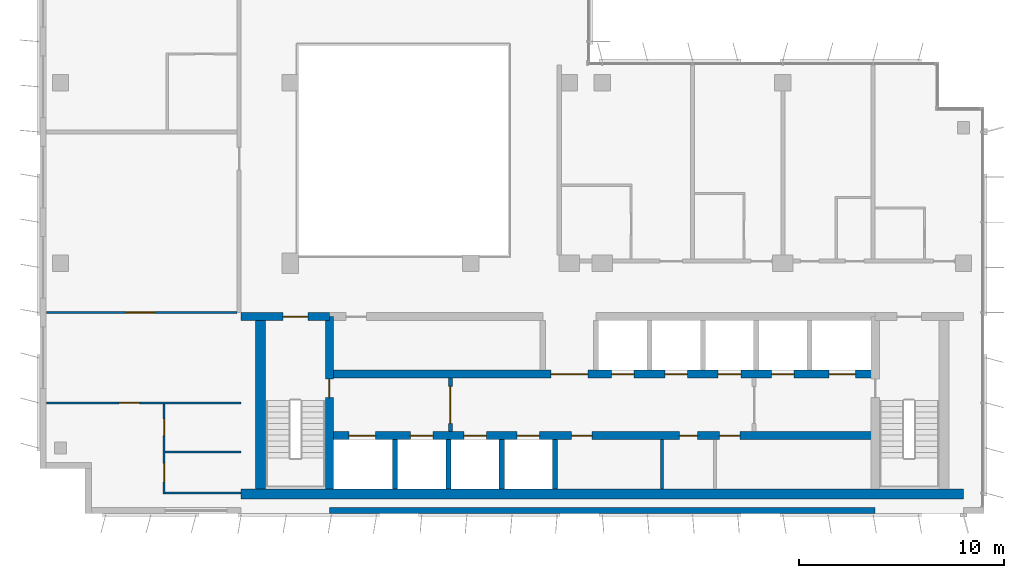
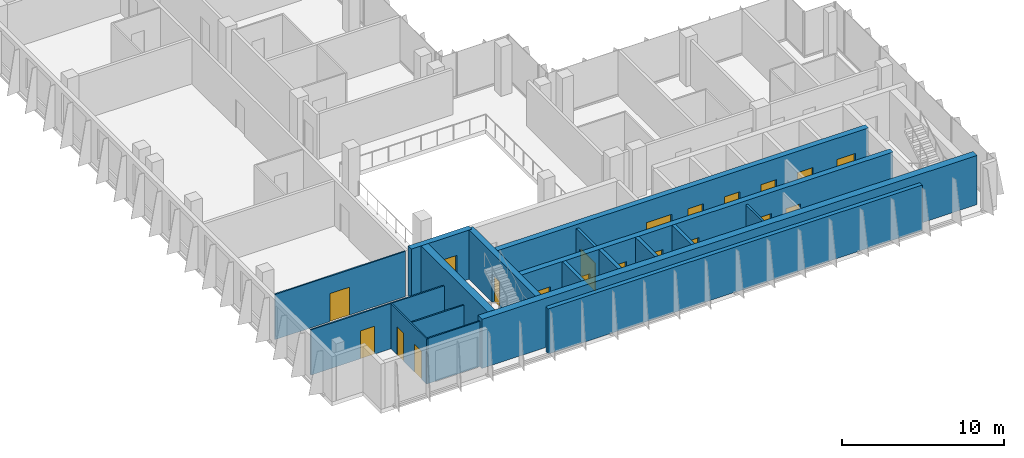
# One storey, part 9 of 15: 20 doors, 18 walls, 20 openings.
"""IFC4 building model written with IfcOpenShell, lengths in metres."""

import ifcopenshell
import ifcopenshell.guid

model = None  # the IFC model being written
_history = None  # IfcOwnerHistory: only IFC2X3 demands one
_inside = {}  # id of a spatial element -> (the spatial element, [elements in it])
_under = {}  # id of a project, library or spatial element -> (it, [spatial elements below it])
_declared = {}  # id of a project -> (the project, [libraries it declares])
_typed = {}  # id of a type object -> (the type object, [elements of that type])
_made_of = {}  # id of a material, layer set ... -> (it, [elements and type objects made of it])


def new_model(schema):
    """Start an empty IFC model of exactly this schema.

    Asked for "IFC4X3", IfcOpenShell would pick the latest addendum, in which some entities
    have other attributes; the version numbers below select the first issue.
    IFC2X3 requires an IfcOwnerHistory on every rooted entity: one is made here for all.
    """
    global model, _history
    if schema == "IFC4X3":
        model = ifcopenshell.file(schema_version=(4, 3, 0, 0))
    else:
        model = ifcopenshell.file(schema=schema)
    _inside.clear()
    _under.clear()
    _declared.clear()
    _typed.clear()
    _made_of.clear()
    _history = None
    if model.schema == "IFC2X3":
        org = make("IfcOrganization", Name="unknown")
        user = make(
            "IfcPersonAndOrganization",
            ThePerson=make("IfcPerson", FamilyName="unknown"),
            TheOrganization=org,
        )
        app = make(
            "IfcApplication",
            ApplicationDeveloper=org,
            Version="unknown",
            ApplicationFullName="unknown",
            ApplicationIdentifier="unknown",
        )
        _history = make(
            "IfcOwnerHistory",
            OwningUser=user,
            OwningApplication=app,
            ChangeAction="ADDED",
            CreationDate=0,
        )
    return model


def make(cls, **values):
    """One entity of the class cls with the attributes given. An attribute that is None is left unset."""
    return model.create_entity(
        cls, **{name: value for name, value in values.items() if value is not None}
    )


def rooted(cls, **values):
    """An entity with a GlobalId (a new one), such as an element, a storey or a relation."""
    return make(cls, GlobalId=ifcopenshell.guid.new(), OwnerHistory=_history, **values)


def si_unit(unit_type, name, prefix=None):
    """IfcSIUnit, for example si_unit("LENGTHUNIT", "METRE", prefix="MILLI")."""
    return make("IfcSIUnit", UnitType=unit_type, Prefix=prefix, Name=name)


def assignment(units):
    """IfcUnitAssignment: the units of a project."""
    return None if units is None else make("IfcUnitAssignment", Units=units)


def point(xyz):
    """IfcCartesianPoint."""
    return None if xyz is None else make("IfcCartesianPoint", Coordinates=xyz)


def direction(xyz):
    """IfcDirection."""
    return None if xyz is None else make("IfcDirection", DirectionRatios=xyz)


def frame(location, z_axis=None, x_axis=None):
    """IfcAxis2Placement3D, a coordinate frame: its origin and axes. An axis left out is left unset."""
    return make(
        "IfcAxis2Placement3D",
        Location=point(location),
        Axis=direction(z_axis),
        RefDirection=direction(x_axis),
    )


def frame_2d(location, x_axis=None):
    """IfcAxis2Placement2D, a coordinate frame in the plane: its origin and x axis."""
    return make(
        "IfcAxis2Placement2D", Location=point(location), RefDirection=direction(x_axis)
    )


def origin():
    """The frame at (0, 0, 0) with its axes left unset."""
    return frame((0.0, 0.0, 0.0))


def place(relative_to, where):
    """IfcLocalPlacement: puts the frame where relative to a parent placement (None: the world)."""
    return make(
        "IfcLocalPlacement", PlacementRelTo=relative_to, RelativePlacement=where
    )


def context(
    kind, dimensions, precision=None, world=None, true_north=None, identifier=None
):
    """IfcGeometricRepresentationContext, for example the 3D "Model" context."""
    return make(
        "IfcGeometricRepresentationContext",
        ContextIdentifier=identifier,
        ContextType=kind,
        CoordinateSpaceDimension=dimensions,
        Precision=precision,
        WorldCoordinateSystem=world,
        TrueNorth=true_north,
    )


def subcontext(parent, identifier, kind, view, scale=None):
    """IfcGeometricRepresentationSubContext, for example "Body" below "Model"."""
    return make(
        "IfcGeometricRepresentationSubContext",
        ContextIdentifier=identifier,
        ContextType=kind,
        ParentContext=parent,
        TargetScale=scale,
        TargetView=view,
    )


def project(units=None, contexts=None):
    """IfcProject with its units and contexts."""
    return rooted(
        "IfcProject",
        Name="project",
        RepresentationContexts=contexts,
        UnitsInContext=assignment(units),
    )


def spatial(cls, under=None, at=None, **own):
    """A site, building, storey or space (cls), placed at a placement, below another one or the project."""
    s = rooted(cls, ObjectPlacement=at, **own)
    if under is not None:
        _under.setdefault(under.id(), (under, []))[1].append(s)
    return s


def profile(cls, at=None, kind="AREA", **sizes):
    """A parametric profile (cls). Its sizes go by their IFC names, for example OverallWidth=200.0."""
    return make(cls, ProfileType=kind, Position=at, **sizes)


def rectangle(**sizes):
    """IfcRectangleProfileDef."""
    return profile("IfcRectangleProfileDef", **sizes)


def extrude(swept, where, along, depth):
    """IfcExtrudedAreaSolid: the profile swept, set in the frame where, extruded along a direction by depth."""
    return make(
        "IfcExtrudedAreaSolid",
        SweptArea=swept,
        Position=where,
        ExtrudedDirection=direction(along),
        Depth=depth,
    )


def shape(context_of_items, identifier, shape_type, items):
    """IfcShapeRepresentation: the items that make up one representation, for example the "Body"."""
    return make(
        "IfcShapeRepresentation",
        ContextOfItems=context_of_items,
        RepresentationIdentifier=identifier,
        RepresentationType=shape_type,
        Items=items,
    )


def material(Name=None, Category=None):
    """IfcMaterial."""
    return make("IfcMaterial", Name=Name, Category=Category)


def layer(
    of_material, thickness, ventilated=None, Name=None, Category=None, Priority=None
):
    """IfcMaterialLayer: one layer of a wall or slab, of a material (None: an air gap)."""
    return make(
        "IfcMaterialLayer",
        Material=of_material,
        LayerThickness=thickness,
        IsVentilated=ventilated,
        Name=Name,
        Category=Category,
        Priority=Priority,
    )


def layer_set(layers, Name=None):
    """IfcMaterialLayerSet."""
    return make("IfcMaterialLayerSet", MaterialLayers=layers, LayerSetName=Name)


def made_of(thing, what):
    """Note that an element or type object is made of a material, layer set ...; save() writes the relation."""
    if what is not None:
        _made_of.setdefault(what.id(), (what, []))[1].append(thing)
    return thing


def type_object(cls, material=None, **own):
    """A type object (cls), such as IfcWallType, which elements share."""
    return made_of(rooted(cls, **own), material)


def element(
    cls,
    number,
    at=None,
    inside=None,
    cuts=None,
    type_object=None,
    material=None,
    context=None,
    identifier="Body",
    shape_type=None,
    held_by="IfcProductDefinitionShape",
    body=None,
    shapes=None,
    **own,
):
    """One element of the class cls, such as IfcWall. Its Tag is "e" and its number.

    at: its placement. inside: the storey or other place that contains it. cuts: it is an
    opening in that element (IfcRelVoidsElement). A single representation is given by context,
    identifier, shape_type and body (its items); several are given by shapes. held_by: the class
    of the entity that holds the representations. save() writes the other relations.
    """
    e = rooted(cls, Tag="e%d" % number, ObjectPlacement=at, **own)
    if body is not None:
        shapes = [shape(context, identifier, shape_type, body)]
    if shapes is not None:
        e.Representation = make(held_by, Representations=shapes)
    if inside is not None:
        _inside.setdefault(inside.id(), (inside, []))[1].append(e)
    if cuts is not None:
        rooted(
            "IfcRelVoidsElement", RelatingBuildingElement=cuts, RelatedOpeningElement=e
        )
    if type_object is not None:
        _typed.setdefault(type_object.id(), (type_object, []))[1].append(e)
    return made_of(e, material)


def fill(opening, filler):
    """IfcRelFillsElement: the door or window that sits in an opening."""
    return rooted(
        "IfcRelFillsElement",
        RelatingOpeningElement=opening,
        RelatedBuildingElement=filler,
    )


def aggregate(whole, parts):
    """IfcRelAggregates: a whole, such as a stair, and the parts it consists of."""
    return rooted("IfcRelAggregates", RelatingObject=whole, RelatedObjects=parts)


def save(model, path):
    """Write the relations noted so far, then the file.

    IfcRelAggregates (storeys below a building ...), IfcRelContainedInSpatialStructure (elements
    in a storey), IfcRelDefinesByType, IfcRelAssociatesMaterial and IfcRelDeclares: one each for
    every whole, place, type object, material and project.
    """
    for whole, parts in _under.values():
        aggregate(whole, parts)
    for where, things in _inside.values():
        rooted(
            "IfcRelContainedInSpatialStructure",
            RelatedElements=things,
            RelatingStructure=where,
        )
    for kind, things in _typed.values():
        rooted("IfcRelDefinesByType", RelatedObjects=things, RelatingType=kind)
    for what, things in _made_of.values():
        rooted("IfcRelAssociatesMaterial", RelatedObjects=things, RelatingMaterial=what)
    for by, libraries in _declared.values():
        rooted("IfcRelDeclares", RelatingContext=by, RelatedDefinitions=libraries)
    model.write(path)


model = new_model("IFC4")

# Units and contexts
model_context = context("Model", 3, precision=1e-05, world=origin(), true_north=direction((0.0, 1.0)))
body_context = subcontext(model_context, "Body", "Model", "MODEL_VIEW")
ifc_project = project(units=[si_unit("LENGTHUNIT", "METRE"), si_unit("AREAUNIT", "SQUARE_METRE"), si_unit("VOLUMEUNIT", "CUBIC_METRE"), si_unit("PLANEANGLEUNIT", "RADIAN"), si_unit("MASSUNIT", "GRAM", prefix="KILO")], contexts=[model_context])

# Site, building, storey
site_placement = place(None, origin())
site = spatial("IfcSite", under=ifc_project, at=site_placement, CompositionType="ELEMENT")
building_placement = place(site_placement, origin())
building = spatial("IfcBuilding", under=site, at=building_placement, Name="Kemantara Hotel Tower", CompositionType="ELEMENT")
storey_placement = place(building_placement, frame((0.0, 0.0, 294.39990234375)))
storey = spatial("IfcBuildingStorey", under=building, at=storey_placement, Name="L74", CompositionType="ELEMENT", Elevation=294.39990234375)

# Walls
ifc_material_1 = material(Name="Bronze anodised aluminium cladding on insulated steel stud wall", Category="steel")
ifc_layer_1 = layer(ifc_material_1, 0.300048828125)
ifc_layer_set_1 = layer_set([ifc_layer_1], Name="Bronze anodised aluminium cladding on insulated steel stud wall")
wall_type_1 = type_object("IfcWallType", Name="BRONZE METAL-CLAD EXTERNAL WALL 300", PredefinedType="STANDARD", material=ifc_layer_set_1)
wall_1_placement = place(storey_placement, frame((14.10009765625, 0.14990234375, 0.0), z_axis=(0.0, 0.0, 1.0), x_axis=(1.0, 0.0, 0.0)))
element("IfcWall", 1, at=wall_1_placement, inside=storey, type_object=wall_type_1, Name="EXTERNAL WALL L74 T4-R08-2", PredefinedType="STANDARD", context=body_context, shape_type="SweptSolid", body=[
    extrude(rectangle(XDim=26.599853515625, YDim=0.300048828125, at=frame_2d((13.2998046875, 0.0))), origin(), (0.0, 0.0, 1.0), 3.400146484375),
])
ifc_material_2 = material(Name="Concrete fc 50 MPa", Category="concrete")
ifc_layer_2 = layer(ifc_material_2, 0.25)
ifc_layer_set_2 = layer_set([ifc_layer_2], Name="Concrete fc 50 MPa")
wall_type_2 = type_object("IfcWallType", Name="CORE WALL 250 FC50", PredefinedType="SHEAR", material=ifc_layer_set_2)
for number, where, z_axis, x_axis, name in (
    (2, (17.300048828125, 1.199951171875, 0.0), (0.0, 0.0, 1.0), (0.0, 1.0, 0.0), "CORE WALL CW-DS17.3"),
    (3, (19.89990234375, 1.199951171875, 0.0), (0.0, 0.0, 1.0), (0.0, 1.0, 0.0), "CORE WALL CW-DS19.9"),
    (4, (22.5, 1.199951171875, 0.0), (0.0, 0.0, 1.0), (0.0, 1.0, 0.0), "CORE WALL CW-DS22.5"),
    (5, (25.10009765625, 1.199951171875, 0.0), (0.0, 0.0, 1.0), (0.0, 1.0, 0.0), "CORE WALL CW-DS25.1"),
):
    element("IfcWall", number, at=place(storey_placement, frame(where, z_axis=z_axis, x_axis=x_axis)), inside=storey, type_object=wall_type_2, Name=name, PredefinedType="SHEAR", context=body_context, shape_type="SweptSolid", body=[
        extrude(rectangle(XDim=2.400146484375, YDim=0.25, at=frame_2d((1.2001953125, 0.0))), origin(), (0.0, 0.0, 1.0), 3.7001953125),
    ])

# Wall, opening, door
ifc_layer_3 = layer(ifc_material_2, 0.39990234375)
ifc_layer_set_3 = layer_set([ifc_layer_3], Name="Concrete fc 50 MPa")
wall_type_3 = type_object("IfcWallType", Name="CORE WALL 400 FC50", PredefinedType="SHEAR", material=ifc_layer_set_3)
wall_2_placement = place(storey_placement, frame((9.800048828125, 9.60009765625, 0.0), z_axis=(0.0, 0.0, 1.0), x_axis=(1.0, 0.0, 0.0)))
wall_2 = element("IfcWall", 6, at=wall_2_placement, inside=storey, type_object=wall_type_3, Name="CORE WALL CW-N1", PredefinedType="SHEAR", context=body_context, shape_type="SweptSolid", body=[
    extrude(rectangle(XDim=4.300048828125, YDim=0.39990234375, at=frame_2d((2.14990234375, 0.0))), origin(), (0.0, 0.0, 1.0), 3.7001953125),
])
opening_1_placement = place(wall_2_placement, frame((2.050048828125, 0.0, 0.0)))
opening_1 = element("IfcOpeningElement", 7, at=opening_1_placement, cuts=wall_2, Name="Opening C42-ST1-C", PredefinedType="OPENING", context=body_context, shape_type="SweptSolid", body=[
    extrude(rectangle(XDim=1.199951171875, YDim=2.10009765625, at=frame_2d((0.60009765625, 1.050048828125))), frame((0.0, 0.2099609375, 0.0), z_axis=(0.0, -1.0, 0.0), x_axis=(1.0, 0.0, 0.0)), (0.0, 0.0, 1.0), 0.419921875),
])
ifc_material_3 = material(Name="Steel fire door", Category="steel")
door_type_1 = type_object("IfcDoorType", Name="Fire door FD90 1200 x 2100", OperationType="NOTDEFINED", PredefinedType="DOOR", material=ifc_material_3)
door_1_placement = place(opening_1_placement, frame((1.199951171875, 0.0, 0.0), z_axis=(0.0, 0.0, 1.0), x_axis=(-1.0, 0.0, 0.0)))
door_1 = element("IfcDoor", 8, at=door_1_placement, inside=storey, type_object=door_type_1, Name="Stair ST1 door to corridor", OperationType="SINGLE_SWING_LEFT", OverallHeight=2.10009765625, OverallWidth=1.199951171875, PredefinedType="DOOR", context=body_context, shape_type="SweptSolid", body=[
    extrude(rectangle(XDim=1.199951171875, YDim=2.10009765625, at=frame_2d((0.60009765625, 1.050048828125))), frame((0.0, 0.02490234375, 0.0), z_axis=(0.0, -1.0, 0.0), x_axis=(1.0, 0.0, 0.0)), (0.0, 0.0, 1.0), 0.050048828125),
])
fill(opening_1, door_1)

# Wall, openings, doors
wall_3_placement = place(storey_placement, frame((14.10009765625, 3.800048828125, 0.0), z_axis=(0.0, 0.0, 1.0), x_axis=(1.0, 0.0, 0.0)))
wall_3 = element("IfcWall", 9, at=wall_3_placement, inside=storey, type_object=wall_type_3, Name="CORE WALL CW-L1", PredefinedType="SHEAR", context=body_context, shape_type="SweptSolid", body=[
    extrude(rectangle(XDim=26.599853515625, YDim=0.39990234375, at=frame_2d((13.2998046875, 0.0))), origin(), (0.0, 0.0, 1.0), 3.7001953125),
])
opening_2_placement = place(wall_3_placement, frame((0.949951171875, 0.0, 0.0)))
opening_2 = element("IfcOpeningElement", 10, at=opening_2_placement, cuts=wall_3, Name="Opening C42-LD-FF1", PredefinedType="OPENING", context=body_context, shape_type="SweptSolid", body=[
    extrude(rectangle(XDim=1.300048828125, YDim=2.10009765625, at=frame_2d((0.64990234375, 1.050048828125))), frame((0.0, 0.2099609375, 0.0), z_axis=(0.0, -1.0, 0.0), x_axis=(1.0, 0.0, 0.0)), (0.0, 0.0, 1.0), 0.419921875),
])
opening_3_placement = place(wall_3_placement, frame((3.949951171875, 0.0, 0.0)))
opening_3 = element("IfcOpeningElement", 11, at=opening_3_placement, cuts=wall_3, Name="Opening C42-LD-SV1", PredefinedType="OPENING", context=body_context, shape_type="SweptSolid", body=[
    extrude(rectangle(XDim=1.10009765625, YDim=2.10009765625, at=frame_2d((0.550048828125, 1.050048828125))), frame((0.0, 0.2099609375, 0.0), z_axis=(0.0, -1.0, 0.0), x_axis=(1.0, 0.0, 0.0)), (0.0, 0.0, 1.0), 0.419921875),
])
opening_4_placement = place(wall_3_placement, frame((6.550048828125, 0.0, 0.0)))
opening_4 = element("IfcOpeningElement", 12, at=opening_4_placement, cuts=wall_3, Name="Opening C42-LD-SV2", PredefinedType="OPENING", context=body_context, shape_type="SweptSolid", body=[
    extrude(rectangle(XDim=1.10009765625, YDim=2.10009765625, at=frame_2d((0.550048828125, 1.050048828125))), frame((0.0, 0.2099609375, 0.0), z_axis=(0.0, -1.0, 0.0), x_axis=(1.0, 0.0, 0.0)), (0.0, 0.0, 1.0), 0.419921875),
])
opening_5_placement = place(wall_3_placement, frame((9.14990234375, 0.0, 0.0)))
opening_5 = element("IfcOpeningElement", 13, at=opening_5_placement, cuts=wall_3, Name="Opening C42-LD-SV3", PredefinedType="OPENING", context=body_context, shape_type="SweptSolid", body=[
    extrude(rectangle(XDim=1.10009765625, YDim=2.10009765625, at=frame_2d((0.550048828125, 1.050048828125))), frame((0.0, 0.2099609375, 0.0), z_axis=(0.0, -1.0, 0.0), x_axis=(1.0, 0.0, 0.0)), (0.0, 0.0, 1.0), 0.419921875),
])
opening_6_placement = place(wall_3_placement, frame((11.800048828125, 0.0, 0.0)))
opening_6 = element("IfcOpeningElement", 14, at=opening_6_placement, cuts=wall_3, Name="Opening C42-R-SM1", PredefinedType="OPENING", context=body_context, shape_type="SweptSolid", body=[
    extrude(rectangle(XDim=1.0, YDim=2.10009765625, at=frame_2d((0.5, 1.050048828125))), frame((0.0, 0.2099609375, 0.0), z_axis=(0.0, -1.0, 0.0), x_axis=(1.0, 0.0, 0.0)), (0.0, 0.0, 1.0), 0.419921875),
])
opening_7_placement = place(wall_3_placement, frame((17.050048828125, 0.0, 0.0)))
opening_7 = element("IfcOpeningElement", 15, at=opening_7_placement, cuts=wall_3, Name="Opening C42-R-SM2", PredefinedType="OPENING", context=body_context, shape_type="SweptSolid", body=[
    extrude(rectangle(XDim=0.89990234375, YDim=2.10009765625, at=frame_2d((0.449951171875, 1.050048828125))), frame((0.0, 0.2099609375, 0.0), z_axis=(0.0, -1.0, 0.0), x_axis=(1.0, 0.0, 0.0)), (0.0, 0.0, 1.0), 0.419921875),
])
opening_8_placement = place(wall_3_placement, frame((19.0, 0.0, 0.0)))
opening_8 = element("IfcOpeningElement", 16, at=opening_8_placement, cuts=wall_3, Name="Opening C42-R-SM3", PredefinedType="OPENING", context=body_context, shape_type="SweptSolid", body=[
    extrude(rectangle(XDim=1.0, YDim=2.10009765625, at=frame_2d((0.5, 1.050048828125))), frame((0.0, 0.2099609375, 0.0), z_axis=(0.0, -1.0, 0.0), x_axis=(1.0, 0.0, 0.0)), (0.0, 0.0, 1.0), 0.419921875),
])
door_type_2 = type_object("IfcDoorType", Name="Fire door FD30S 1000 x 2100", OperationType="NOTDEFINED", PredefinedType="DOOR", material=ifc_material_3)
door_2_placement = place(opening_8_placement, frame((1.0, 0.0, 0.0), z_axis=(0.0, 0.0, 1.0), x_axis=(-1.0, 0.0, 0.0)))
door_2 = element("IfcDoor", 17, at=door_2_placement, inside=storey, type_object=door_type_2, Name="Housekeeping Store door", OperationType="SINGLE_SWING_LEFT", OverallHeight=2.10009765625, OverallWidth=1.0, PredefinedType="DOOR", context=body_context, shape_type="SweptSolid", body=[
    extrude(rectangle(XDim=1.0, YDim=2.10009765625, at=frame_2d((0.5, 1.050048828125))), frame((0.0, 0.02490234375, 0.0), z_axis=(0.0, -1.0, 0.0), x_axis=(1.0, 0.0, 0.0)), (0.0, 0.0, 1.0), 0.050048828125),
])
fill(opening_8, door_2)
door_type_3 = type_object("IfcDoorType", Name="Fire door FD60 1000 x 2100", OperationType="NOTDEFINED", PredefinedType="DOOR", material=ifc_material_3)
door_3_placement = place(opening_6_placement, frame((1.0, 0.0, 0.0), z_axis=(0.0, 0.0, 1.0), x_axis=(-1.0, 0.0, 0.0)))
door_3 = element("IfcDoor", 18, at=door_3_placement, inside=storey, type_object=door_type_3, Name="It Equipment Room door", OperationType="SINGLE_SWING_RIGHT", OverallHeight=2.10009765625, OverallWidth=1.0, PredefinedType="DOOR", context=body_context, shape_type="SweptSolid", body=[
    extrude(rectangle(XDim=1.0, YDim=2.10009765625, at=frame_2d((0.5, 1.050048828125))), frame((0.0, 0.02490234375, 0.0), z_axis=(0.0, -1.0, 0.0), x_axis=(1.0, 0.0, 0.0)), (0.0, 0.0, 1.0), 0.050048828125),
])
fill(opening_6, door_3)
door_type_4 = type_object("IfcDoorType", Name="Fire door FD60 900 x 2100", OperationType="NOTDEFINED", PredefinedType="DOOR", material=ifc_material_3)
door_4_placement = place(opening_7_placement, frame((0.89990234375, 0.0, 0.0), z_axis=(0.0, 0.0, 1.0), x_axis=(-1.0, 0.0, 0.0)))
door_4 = element("IfcDoor", 19, at=door_4_placement, inside=storey, type_object=door_type_4, Name="Comms Equipment Room door", OperationType="SINGLE_SWING_LEFT", OverallHeight=2.10009765625, OverallWidth=0.89990234375, PredefinedType="DOOR", context=body_context, shape_type="SweptSolid", body=[
    extrude(rectangle(XDim=0.89990234375, YDim=2.10009765625, at=frame_2d((0.449951171875, 1.050048828125))), frame((0.0, 0.02490234375, 0.0), z_axis=(0.0, -1.0, 0.0), x_axis=(1.0, 0.0, 0.0)), (0.0, 0.0, 1.0), 0.050048828125),
])
fill(opening_7, door_4)
ifc_material_4 = material(Name="Stainless steel lift door", Category="steel")
door_type_5 = type_object("IfcDoorType", Name="Lift landing door 1100 x 2100 FD60", OperationType="DOUBLE_DOOR_SLIDING", PredefinedType="DOOR", material=ifc_material_4)
door_5_placement = place(opening_3_placement, origin())
door_5 = element("IfcDoor", 20, at=door_5_placement, inside=storey, type_object=door_type_5, Name="Lift SV1 landing door", OperationType="DOUBLE_DOOR_SLIDING", OverallHeight=2.10009765625, OverallWidth=1.10009765625, PredefinedType="DOOR", context=body_context, shape_type="SweptSolid", body=[
    extrude(rectangle(XDim=1.10009765625, YDim=2.10009765625, at=frame_2d((0.550048828125, 1.050048828125))), frame((0.0, 0.02490234375, 0.0), z_axis=(0.0, -1.0, 0.0), x_axis=(1.0, 0.0, 0.0)), (0.0, 0.0, 1.0), 0.050048828125),
])
fill(opening_3, door_5)
door_6_placement = place(opening_4_placement, origin())
door_6 = element("IfcDoor", 21, at=door_6_placement, inside=storey, type_object=door_type_5, Name="Lift SV2 landing door", OperationType="DOUBLE_DOOR_SLIDING", OverallHeight=2.10009765625, OverallWidth=1.10009765625, PredefinedType="DOOR", context=body_context, shape_type="SweptSolid", body=[
    extrude(rectangle(XDim=1.10009765625, YDim=2.10009765625, at=frame_2d((0.550048828125, 1.050048828125))), frame((0.0, 0.02490234375, 0.0), z_axis=(0.0, -1.0, 0.0), x_axis=(1.0, 0.0, 0.0)), (0.0, 0.0, 1.0), 0.050048828125),
])
fill(opening_4, door_6)
door_7_placement = place(opening_5_placement, origin())
door_7 = element("IfcDoor", 22, at=door_7_placement, inside=storey, type_object=door_type_5, Name="Lift SV3 landing door", OperationType="DOUBLE_DOOR_SLIDING", OverallHeight=2.10009765625, OverallWidth=1.10009765625, PredefinedType="DOOR", context=body_context, shape_type="SweptSolid", body=[
    extrude(rectangle(XDim=1.10009765625, YDim=2.10009765625, at=frame_2d((0.550048828125, 1.050048828125))), frame((0.0, 0.02490234375, 0.0), z_axis=(0.0, -1.0, 0.0), x_axis=(1.0, 0.0, 0.0)), (0.0, 0.0, 1.0), 0.050048828125),
])
fill(opening_5, door_7)
door_type_6 = type_object("IfcDoorType", Name="Lift landing door 1300 x 2100 FD90", OperationType="DOUBLE_DOOR_SLIDING", PredefinedType="DOOR", material=ifc_material_4)
door_8_placement = place(opening_2_placement, origin())
door_8 = element("IfcDoor", 23, at=door_8_placement, inside=storey, type_object=door_type_6, Name="Lift FF1 landing door", OperationType="DOUBLE_DOOR_SLIDING", OverallHeight=2.10009765625, OverallWidth=1.300048828125, PredefinedType="DOOR", context=body_context, shape_type="SweptSolid", body=[
    extrude(rectangle(XDim=1.300048828125, YDim=2.10009765625, at=frame_2d((0.64990234375, 1.050048828125))), frame((0.0, 0.02490234375, 0.0), z_axis=(0.0, -1.0, 0.0), x_axis=(1.0, 0.0, 0.0)), (0.0, 0.0, 1.0), 0.050048828125),
])
fill(opening_2, door_8)

wall_4_placement = place(storey_placement, frame((14.10009765625, 6.800048828125, 0.0), z_axis=(0.0, 0.0, 1.0), x_axis=(1.0, 0.0, 0.0)))
wall_4 = element("IfcWall", 24, at=wall_4_placement, inside=storey, type_object=wall_type_3, Name="CORE WALL CW-L2", PredefinedType="SHEAR", context=body_context, shape_type="SweptSolid", body=[
    extrude(rectangle(XDim=26.599853515625, YDim=0.39990234375, at=frame_2d((13.2998046875, 0.0))), origin(), (0.0, 0.0, 1.0), 3.7001953125),
])
opening_9_placement = place(wall_4_placement, frame((10.800048828125, 0.0, 0.0)))
opening_9 = element("IfcOpeningElement", 25, at=opening_9_placement, cuts=wall_4, Name="Opening C42-VL", PredefinedType="OPENING", context=body_context, shape_type="SweptSolid", body=[
    extrude(rectangle(XDim=1.800048828125, YDim=2.10009765625, at=frame_2d((0.89990234375, 1.050048828125))), frame((0.0, 0.2099609375, 0.0), z_axis=(0.0, -1.0, 0.0), x_axis=(1.0, 0.0, 0.0)), (0.0, 0.0, 1.0), 0.419921875),
])
opening_10_placement = place(wall_4_placement, frame((13.75, 0.0, 0.0)))
opening_10 = element("IfcOpeningElement", 26, at=opening_10_placement, cuts=wall_4, Name="Opening C42-LD-HR1", PredefinedType="OPENING", context=body_context, shape_type="SweptSolid", body=[
    extrude(rectangle(XDim=1.10009765625, YDim=2.10009765625, at=frame_2d((0.550048828125, 1.050048828125))), frame((0.0, 0.2099609375, 0.0), z_axis=(0.0, -1.0, 0.0), x_axis=(1.0, 0.0, 0.0)), (0.0, 0.0, 1.0), 0.419921875),
])
opening_11_placement = place(wall_4_placement, frame((16.35009765625, 0.0, 0.0)))
opening_11 = element("IfcOpeningElement", 27, at=opening_11_placement, cuts=wall_4, Name="Opening C42-LD-HR2", PredefinedType="OPENING", context=body_context, shape_type="SweptSolid", body=[
    extrude(rectangle(XDim=1.10009765625, YDim=2.10009765625, at=frame_2d((0.550048828125, 1.050048828125))), frame((0.0, 0.2099609375, 0.0), z_axis=(0.0, -1.0, 0.0), x_axis=(1.0, 0.0, 0.0)), (0.0, 0.0, 1.0), 0.419921875),
])
opening_12_placement = place(wall_4_placement, frame((18.949951171875, 0.0, 0.0)))
opening_12 = element("IfcOpeningElement", 28, at=opening_12_placement, cuts=wall_4, Name="Opening C42-LD-HR3", PredefinedType="OPENING", context=body_context, shape_type="SweptSolid", body=[
    extrude(rectangle(XDim=1.10009765625, YDim=2.10009765625, at=frame_2d((0.550048828125, 1.050048828125))), frame((0.0, 0.2099609375, 0.0), z_axis=(0.0, -1.0, 0.0), x_axis=(1.0, 0.0, 0.0)), (0.0, 0.0, 1.0), 0.419921875),
])
opening_13_placement = place(wall_4_placement, frame((21.550048828125, 0.0, 0.0)))
opening_13 = element("IfcOpeningElement", 29, at=opening_13_placement, cuts=wall_4, Name="Opening C42-LD-HR4", PredefinedType="OPENING", context=body_context, shape_type="SweptSolid", body=[
    extrude(rectangle(XDim=1.10009765625, YDim=2.10009765625, at=frame_2d((0.550048828125, 1.050048828125))), frame((0.0, 0.2099609375, 0.0), z_axis=(0.0, -1.0, 0.0), x_axis=(1.0, 0.0, 0.0)), (0.0, 0.0, 1.0), 0.419921875),
])
opening_14_placement = place(wall_4_placement, frame((24.35009765625, 0.0, 0.0)))
opening_14 = element("IfcOpeningElement", 30, at=opening_14_placement, cuts=wall_4, Name="Opening C42-LD-FF2", PredefinedType="OPENING", context=body_context, shape_type="SweptSolid", body=[
    extrude(rectangle(XDim=1.300048828125, YDim=2.10009765625, at=frame_2d((0.64990234375, 1.050048828125))), frame((0.0, 0.2099609375, 0.0), z_axis=(0.0, -1.0, 0.0), x_axis=(1.0, 0.0, 0.0)), (0.0, 0.0, 1.0), 0.419921875),
])
door_type_7 = type_object("IfcDoorType", Name="Fire door pair FD60 1800 x 2100", OperationType="DOUBLE_DOOR_SINGLE_SWING", PredefinedType="DOOR", material=ifc_material_3)
door_9_placement = place(opening_9_placement, frame((1.800048828125, 0.0, 0.0), z_axis=(0.0, 0.0, 1.0), x_axis=(-1.0, 0.0, 0.0)))
door_9 = element("IfcDoor", 31, at=door_9_placement, inside=storey, type_object=door_type_7, Name="Lift lobby entry door", OperationType="DOUBLE_DOOR_SINGLE_SWING", OverallHeight=2.10009765625, OverallWidth=1.800048828125, PredefinedType="DOOR", context=body_context, shape_type="SweptSolid", body=[
    extrude(rectangle(XDim=1.800048828125, YDim=2.10009765625, at=frame_2d((0.89990234375, 1.050048828125))), frame((0.0, 0.02490234375, 0.0), z_axis=(0.0, -1.0, 0.0), x_axis=(1.0, 0.0, 0.0)), (0.0, 0.0, 1.0), 0.050048828125),
])
fill(opening_9, door_9)
door_10_placement = place(opening_10_placement, origin())
door_10 = element("IfcDoor", 32, at=door_10_placement, inside=storey, type_object=door_type_5, Name="Lift HR1 landing door", OperationType="DOUBLE_DOOR_SLIDING", OverallHeight=2.10009765625, OverallWidth=1.10009765625, PredefinedType="DOOR", context=body_context, shape_type="SweptSolid", body=[
    extrude(rectangle(XDim=1.10009765625, YDim=2.10009765625, at=frame_2d((0.550048828125, 1.050048828125))), frame((0.0, 0.02490234375, 0.0), z_axis=(0.0, -1.0, 0.0), x_axis=(1.0, 0.0, 0.0)), (0.0, 0.0, 1.0), 0.050048828125),
])
fill(opening_10, door_10)
door_11_placement = place(opening_11_placement, origin())
door_11 = element("IfcDoor", 33, at=door_11_placement, inside=storey, type_object=door_type_5, Name="Lift HR2 landing door", OperationType="DOUBLE_DOOR_SLIDING", OverallHeight=2.10009765625, OverallWidth=1.10009765625, PredefinedType="DOOR", context=body_context, shape_type="SweptSolid", body=[
    extrude(rectangle(XDim=1.10009765625, YDim=2.10009765625, at=frame_2d((0.550048828125, 1.050048828125))), frame((0.0, 0.02490234375, 0.0), z_axis=(0.0, -1.0, 0.0), x_axis=(1.0, 0.0, 0.0)), (0.0, 0.0, 1.0), 0.050048828125),
])
fill(opening_11, door_11)
door_12_placement = place(opening_12_placement, origin())
door_12 = element("IfcDoor", 34, at=door_12_placement, inside=storey, type_object=door_type_5, Name="Lift HR3 landing door", OperationType="DOUBLE_DOOR_SLIDING", OverallHeight=2.10009765625, OverallWidth=1.10009765625, PredefinedType="DOOR", context=body_context, shape_type="SweptSolid", body=[
    extrude(rectangle(XDim=1.10009765625, YDim=2.10009765625, at=frame_2d((0.550048828125, 1.050048828125))), frame((0.0, 0.02490234375, 0.0), z_axis=(0.0, -1.0, 0.0), x_axis=(1.0, 0.0, 0.0)), (0.0, 0.0, 1.0), 0.050048828125),
])
fill(opening_12, door_12)
door_13_placement = place(opening_13_placement, origin())
door_13 = element("IfcDoor", 35, at=door_13_placement, inside=storey, type_object=door_type_5, Name="Lift HR4 landing door", OperationType="DOUBLE_DOOR_SLIDING", OverallHeight=2.10009765625, OverallWidth=1.10009765625, PredefinedType="DOOR", context=body_context, shape_type="SweptSolid", body=[
    extrude(rectangle(XDim=1.10009765625, YDim=2.10009765625, at=frame_2d((0.550048828125, 1.050048828125))), frame((0.0, 0.02490234375, 0.0), z_axis=(0.0, -1.0, 0.0), x_axis=(1.0, 0.0, 0.0)), (0.0, 0.0, 1.0), 0.050048828125),
])
fill(opening_13, door_13)
door_14_placement = place(opening_14_placement, origin())
door_14 = element("IfcDoor", 36, at=door_14_placement, inside=storey, type_object=door_type_6, Name="Lift FF2 landing door", OperationType="DOUBLE_DOOR_SLIDING", OverallHeight=2.10009765625, OverallWidth=1.300048828125, PredefinedType="DOOR", context=body_context, shape_type="SweptSolid", body=[
    extrude(rectangle(XDim=1.300048828125, YDim=2.10009765625, at=frame_2d((0.64990234375, 1.050048828125))), frame((0.0, 0.02490234375, 0.0), z_axis=(0.0, -1.0, 0.0), x_axis=(1.0, 0.0, 0.0)), (0.0, 0.0, 1.0), 0.050048828125),
])
fill(opening_14, door_14)

# Wall, opening, door
wall_5_placement = place(storey_placement, frame((14.10009765625, 1.199951171875, 0.0), z_axis=(0.0, 0.0, 1.0), x_axis=(0.0, 1.0, 0.0)))
wall_5 = element("IfcWall", 37, at=wall_5_placement, inside=storey, type_object=wall_type_3, Name="CORE WALL CW-ST1E", PredefinedType="SHEAR", context=body_context, shape_type="SweptSolid", body=[
    extrude(rectangle(XDim=8.400146484375, YDim=0.39990234375, at=frame_2d((4.2001953125, 0.0))), origin(), (0.0, 0.0, 1.0), 3.7001953125),
])
opening_15_placement = place(wall_5_placement, frame((4.449951171875, 0.0, 0.0)))
opening_15 = element("IfcOpeningElement", 38, at=opening_15_placement, cuts=wall_5, Name="Opening C42-ST1-F", PredefinedType="OPENING", context=body_context, shape_type="SweptSolid", body=[
    extrude(rectangle(XDim=0.89990234375, YDim=2.10009765625, at=frame_2d((0.449951171875, 1.050048828125))), frame((0.0, 0.2099609375, 0.0), z_axis=(0.0, -1.0, 0.0), x_axis=(1.0, 0.0, 0.0)), (0.0, 0.0, 1.0), 0.419921875),
])
door_type_8 = type_object("IfcDoorType", Name="Fire door FD90 900 x 2100", OperationType="NOTDEFINED", PredefinedType="DOOR", material=ifc_material_3)
door_15_placement = place(opening_15_placement, origin())
door_15 = element("IfcDoor", 39, at=door_15_placement, inside=storey, type_object=door_type_8, Name="Stair ST1 door to firefighting lobby", OperationType="SINGLE_SWING_RIGHT", OverallHeight=2.10009765625, OverallWidth=0.89990234375, PredefinedType="DOOR", context=body_context, shape_type="SweptSolid", body=[
    extrude(rectangle(XDim=0.89990234375, YDim=2.10009765625, at=frame_2d((0.449951171875, 1.050048828125))), frame((0.0, 0.02490234375, 0.0), z_axis=(0.0, -1.0, 0.0), x_axis=(1.0, 0.0, 0.0)), (0.0, 0.0, 1.0), 0.050048828125),
])
fill(opening_15, door_15)

# Walls
ifc_layer_4 = layer(ifc_material_2, 0.5)
ifc_layer_set_4 = layer_set([ifc_layer_4], Name="Concrete fc 50 MPa")
wall_type_4 = type_object("IfcWallType", Name="CORE WALL 500 FC50", PredefinedType="SHEAR", material=ifc_layer_set_4)
wall_6_placement = place(storey_placement, frame((9.800048828125, 0.949951171875, 0.0), z_axis=(0.0, 0.0, 1.0), x_axis=(1.0, 0.0, 0.0)))
element("IfcWall", 40, at=wall_6_placement, inside=storey, type_object=wall_type_4, Name="CORE WALL CW-S", PredefinedType="SHEAR", context=body_context, shape_type="SweptSolid", body=[
    extrude(rectangle(XDim=35.199951171875, YDim=0.5, at=frame_2d((17.60009765625, 0.0))), origin(), (0.0, 0.0, 1.0), 3.7001953125),
])
wall_7_placement = place(storey_placement, frame((10.75, 1.199951171875, 0.0), z_axis=(0.0, 0.0, 1.0), x_axis=(0.0, 1.0, 0.0)))
element("IfcWall", 41, at=wall_7_placement, inside=storey, type_object=wall_type_4, Name="CORE WALL CW-W", PredefinedType="SHEAR", context=body_context, shape_type="SweptSolid", body=[
    extrude(rectangle(XDim=8.60009765625, YDim=0.5, at=frame_2d((4.300048828125, 0.0))), origin(), (0.0, 0.0, 1.0), 3.7001953125),
])
ifc_material_5 = material(Name="Gypsum board partition")
ifc_layer_5 = layer(ifc_material_5, 0.14990234375)
ifc_layer_set_5 = layer_set([ifc_layer_5], Name="Gypsum board partition")
wall_type_5 = type_object("IfcWallType", Name="Gypsum board partition 150 mm", PredefinedType="PARTITIONING", material=ifc_layer_set_5)
wall_8_placement = place(storey_placement, frame((30.300048828125, 1.199951171875, 0.0), z_axis=(0.0, 0.0, 1.0), x_axis=(0.0, 1.0, 0.0)))
element("IfcWall", 42, at=wall_8_placement, inside=storey, type_object=wall_type_5, Name="Core room partition", PredefinedType="PARTITIONING", context=body_context, shape_type="SweptSolid", body=[
    extrude(rectangle(XDim=2.400146484375, YDim=0.14990234375, at=frame_2d((1.2001953125, 0.0))), origin(), (0.0, 0.0, 1.0), 3.400146484375),
])

# Wall, opening, door
ifc_material_6 = material(Name="Gypsum board shaft wall")
ifc_layer_6 = layer(ifc_material_6, 0.199951171875)
ifc_layer_set_6 = layer_set([ifc_layer_6], Name="Gypsum board shaft wall")
wall_type_6 = type_object("IfcWallType", Name="Gypsum board shaft wall 200 mm", PredefinedType="PARTITIONING", material=ifc_layer_set_6)
wall_9_placement = place(storey_placement, frame((20.0, 4.0, 0.0), z_axis=(0.0, 0.0, 1.0), x_axis=(0.0, 1.0, 0.0)))
wall_9 = element("IfcWall", 43, at=wall_9_placement, inside=storey, type_object=wall_type_6, Name="Firefighting lobby partition west", PredefinedType="PARTITIONING", context=body_context, shape_type="SweptSolid", body=[
    extrude(rectangle(XDim=2.60009765625, YDim=0.199951171875, at=frame_2d((1.300048828125, 0.0))), origin(), (0.0, 0.0, 1.0), 3.400146484375),
])
opening_16_placement = place(wall_9_placement, frame((0.39990234375, 0.0, 0.0)))
opening_16 = element("IfcOpeningElement", 44, at=opening_16_placement, cuts=wall_9, Name="Opening C42-FFW", PredefinedType="OPENING", context=body_context, shape_type="SweptSolid", body=[
    extrude(rectangle(XDim=1.800048828125, YDim=2.10009765625, at=frame_2d((0.89990234375, 1.050048828125))), frame((0.0, 0.10986328125, 0.0), z_axis=(0.0, -1.0, 0.0), x_axis=(1.0, 0.0, 0.0)), (0.0, 0.0, 1.0), 0.219970703125),
])
door_16_placement = place(opening_16_placement, origin())
door_16 = element("IfcDoor", 45, at=door_16_placement, inside=storey, type_object=door_type_7, Name="Firefighting lobby door west", OperationType="DOUBLE_DOOR_SINGLE_SWING", OverallHeight=2.10009765625, OverallWidth=1.800048828125, PredefinedType="DOOR", context=body_context, shape_type="SweptSolid", body=[
    extrude(rectangle(XDim=1.800048828125, YDim=2.10009765625, at=frame_2d((0.89990234375, 1.050048828125))), frame((0.0, 0.02490234375, 0.0), z_axis=(0.0, -1.0, 0.0), x_axis=(1.0, 0.0, 0.0)), (0.0, 0.0, 1.0), 0.050048828125),
])
fill(opening_16, door_16)

# Wall, openings, doors
ifc_material_7 = material(Name="Gypsum board partition on steel studs, 100 mm", Category="steel")
ifc_layer_7 = layer(ifc_material_7, 0.10009765625)
ifc_layer_set_7 = layer_set([ifc_layer_7], Name="Gypsum board partition on steel studs, 100 mm")
wall_type_7 = type_object("IfcWallType", Name="ROOM PARTITION 100", PredefinedType="PARTITIONING", material=ifc_layer_set_7)
wall_10_placement = place(storey_placement, frame((6.050048828125, 5.35009765625, 0.0), z_axis=(0.0, 0.0, 1.0), x_axis=(0.0, -1.0, 0.0)))
wall_10 = element("IfcWall", 46, at=wall_10_placement, inside=storey, type_object=wall_type_7, Name="ROOM PARTITION 100 031", PredefinedType="PARTITIONING", context=body_context, shape_type="SweptSolid", body=[
    extrude(rectangle(XDim=4.400146484375, YDim=0.10009765625, at=frame_2d((2.2001953125, 0.0))), origin(), (0.0, 0.0, 1.0), 3.400146484375),
])
opening_17_placement = place(wall_10_placement, frame((2.89990234375, 0.0, 0.0)))
opening_17 = element("IfcOpeningElement", 47, at=opening_17_placement, cuts=wall_10, Name="Opening F36-012", PredefinedType="OPENING", context=body_context, shape_type="SweptSolid", body=[
    extrude(rectangle(XDim=0.89990234375, YDim=2.10009765625, at=frame_2d((0.449951171875, 1.050048828125))), frame((0.0, 0.06005859375, 0.0), z_axis=(0.0, -1.0, 0.0), x_axis=(1.0, 0.0, 0.0)), (0.0, 0.0, 1.0), 0.1201171875),
])
opening_18_placement = place(wall_10_placement, frame((0.75, 0.0, 0.0)))
opening_18 = element("IfcOpeningElement", 48, at=opening_18_placement, cuts=wall_10, Name="Opening F36-013", PredefinedType="OPENING", context=body_context, shape_type="SweptSolid", body=[
    extrude(rectangle(XDim=0.800048828125, YDim=2.10009765625, at=frame_2d((0.39990234375, 1.050048828125))), frame((0.0, 0.06005859375, 0.0), z_axis=(0.0, -1.0, 0.0), x_axis=(1.0, 0.0, 0.0)), (0.0, 0.0, 1.0), 0.1201171875),
])
ifc_material_8 = material(Name="Hardwood veneer door leaf with steel frame", Category="steel")
door_type_9 = type_object("IfcDoorType", Name="BATHROOM DOOR 900 X 2100", OperationType="NOTDEFINED", PredefinedType="DOOR", material=ifc_material_8)
door_17_placement = place(opening_17_placement, origin())
door_17 = element("IfcDoor", 49, at=door_17_placement, inside=storey, type_object=door_type_9, Name="BATHROOM DOOR F36-012", OperationType="SINGLE_SWING_LEFT", OverallHeight=2.10009765625, OverallWidth=0.89990234375, PredefinedType="DOOR", context=body_context, shape_type="SweptSolid", body=[
    extrude(rectangle(XDim=0.89990234375, YDim=2.10009765625, at=frame_2d((0.449951171875, 1.050048828125))), frame((0.0, 0.02490234375, 0.0), z_axis=(0.0, -1.0, 0.0), x_axis=(1.0, 0.0, 0.0)), (0.0, 0.0, 1.0), 0.050048828125),
])
fill(opening_17, door_17)
door_type_10 = type_object("IfcDoorType", Name="WARDROBE DOOR 800 X 2100", OperationType="NOTDEFINED", PredefinedType="DOOR", material=ifc_material_8)
door_18_placement = place(opening_18_placement, origin())
door_18 = element("IfcDoor", 50, at=door_18_placement, inside=storey, type_object=door_type_10, Name="WARDROBE DOOR F36-013", OperationType="SINGLE_SWING_LEFT", OverallHeight=2.10009765625, OverallWidth=0.800048828125, PredefinedType="DOOR", context=body_context, shape_type="SweptSolid", body=[
    extrude(rectangle(XDim=0.800048828125, YDim=2.10009765625, at=frame_2d((0.39990234375, 1.050048828125))), frame((0.0, 0.02490234375, 0.0), z_axis=(0.0, -1.0, 0.0), x_axis=(1.0, 0.0, 0.0)), (0.0, 0.0, 1.0), 0.050048828125),
])
fill(opening_18, door_18)

# Wall, opening, door
wall_11_placement = place(storey_placement, frame((9.60009765625, 9.800048828125, 0.0), z_axis=(0.0, 0.0, 1.0), x_axis=(-1.0, 0.0, 0.0)))
wall_11 = element("IfcWall", 51, at=wall_11_placement, inside=storey, type_object=wall_type_7, Name="ROOM PARTITION 100 032", PredefinedType="PARTITIONING", context=body_context, shape_type="SweptSolid", body=[
    extrude(rectangle(XDim=9.2900390625, YDim=0.10009765625, at=frame_2d((4.64501953125, 0.0))), origin(), (0.0, 0.0, 1.0), 3.400146484375),
])
opening_19_placement = place(wall_11_placement, frame((4.0, 0.0, 0.0)))
opening_19 = element("IfcOpeningElement", 52, at=opening_19_placement, cuts=wall_11, Name="Opening F36-010", PredefinedType="OPENING", context=body_context, shape_type="SweptSolid", body=[
    extrude(rectangle(XDim=1.39990234375, YDim=2.10009765625, at=frame_2d((0.699951171875, 1.050048828125))), frame((0.0, 0.06005859375, 0.0), z_axis=(0.0, -1.0, 0.0), x_axis=(1.0, 0.0, 0.0)), (0.0, 0.0, 1.0), 0.1201171875),
])
door_type_11 = type_object("IfcDoorType", Name="INTERNAL DOOR 1400 X 2100", OperationType="NOTDEFINED", PredefinedType="DOOR", material=ifc_material_8)
door_19_placement = place(opening_19_placement, origin())
door_19 = element("IfcDoor", 53, at=door_19_placement, inside=storey, type_object=door_type_11, Name="INTERNAL DOOR F36-010", OperationType="DOUBLE_DOOR_SINGLE_SWING", OverallHeight=2.10009765625, OverallWidth=1.39990234375, PredefinedType="DOOR", context=body_context, shape_type="SweptSolid", body=[
    extrude(rectangle(XDim=1.39990234375, YDim=2.10009765625, at=frame_2d((0.699951171875, 1.050048828125))), frame((0.0, 0.02490234375, 0.0), z_axis=(0.0, -1.0, 0.0), x_axis=(1.0, 0.0, 0.0)), (0.0, 0.0, 1.0), 0.050048828125),
])
fill(opening_19, door_19)

wall_12_placement = place(storey_placement, frame((9.7998046875, 5.39990234375, 0.0), z_axis=(0.0, 0.0, 1.0), x_axis=(-1.0, 0.0, 0.0)))
wall_12 = element("IfcWall", 54, at=wall_12_placement, inside=storey, type_object=wall_type_7, Name="ROOM PARTITION 100 033", PredefinedType="PARTITIONING", context=body_context, shape_type="SweptSolid", body=[
    extrude(rectangle(XDim=9.48974609375, YDim=0.10009765625, at=frame_2d((4.744873046875, 0.0))), origin(), (0.0, 0.0, 1.0), 3.400146484375),
])
opening_20_placement = place(wall_12_placement, frame((4.949951171875, 0.0, 0.0)))
opening_20 = element("IfcOpeningElement", 55, at=opening_20_placement, cuts=wall_12, Name="Opening F36-011", PredefinedType="OPENING", context=body_context, shape_type="SweptSolid", body=[
    extrude(rectangle(XDim=1.0, YDim=2.10009765625, at=frame_2d((0.5, 1.050048828125))), frame((0.0, 0.06005859375, 0.0), z_axis=(0.0, -1.0, 0.0), x_axis=(1.0, 0.0, 0.0)), (0.0, 0.0, 1.0), 0.1201171875),
])
door_type_12 = type_object("IfcDoorType", Name="INTERNAL DOOR 1000 X 2100", OperationType="NOTDEFINED", PredefinedType="DOOR", material=ifc_material_8)
door_20_placement = place(opening_20_placement, origin())
door_20 = element("IfcDoor", 56, at=door_20_placement, inside=storey, type_object=door_type_12, Name="INTERNAL DOOR F36-011", OperationType="SINGLE_SWING_LEFT", OverallHeight=2.10009765625, OverallWidth=1.0, PredefinedType="DOOR", context=body_context, shape_type="SweptSolid", body=[
    extrude(rectangle(XDim=1.0, YDim=2.10009765625, at=frame_2d((0.5, 1.050048828125))), frame((0.0, 0.02490234375, 0.0), z_axis=(0.0, -1.0, 0.0), x_axis=(1.0, 0.0, 0.0)), (0.0, 0.0, 1.0), 0.050048828125),
])
fill(opening_20, door_20)

# Walls
for number, where, z_axis, x_axis, name in (
    (57, (6.10009765625, 1.0, 0.0), (0.0, 0.0, 1.0), (1.0, 0.0, 0.0), "ROOM PARTITION 100 034"),
    (58, (6.10009765625, 3.0, 0.0), (0.0, 0.0, 1.0), (1.0, 0.0, 0.0), "ROOM PARTITION 100 035"),
):
    element("IfcWall", number, at=place(storey_placement, frame(where, z_axis=z_axis, x_axis=x_axis)), inside=storey, type_object=wall_type_7, Name=name, PredefinedType="PARTITIONING", context=body_context, shape_type="SweptSolid", body=[
        extrude(rectangle(XDim=3.69970703125, YDim=0.10009765625, at=frame_2d((1.849853515625, 0.0))), origin(), (0.0, 0.0, 1.0), 3.400146484375),
    ])

save(model, "model.ifc")
